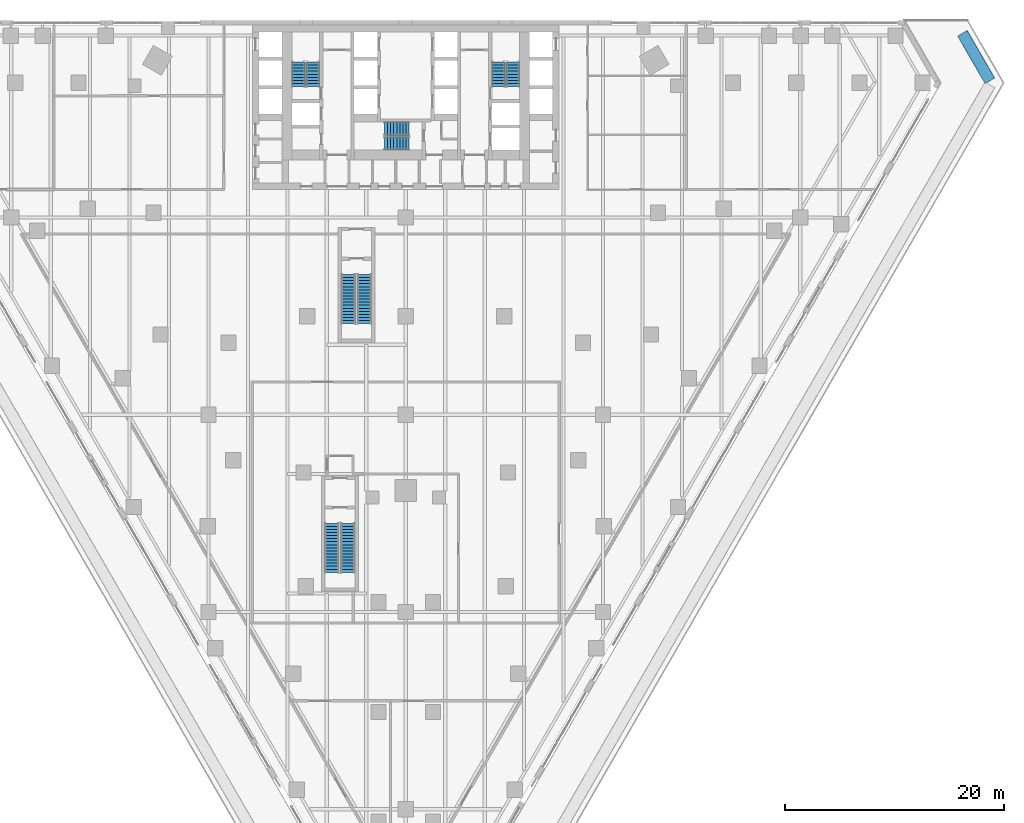
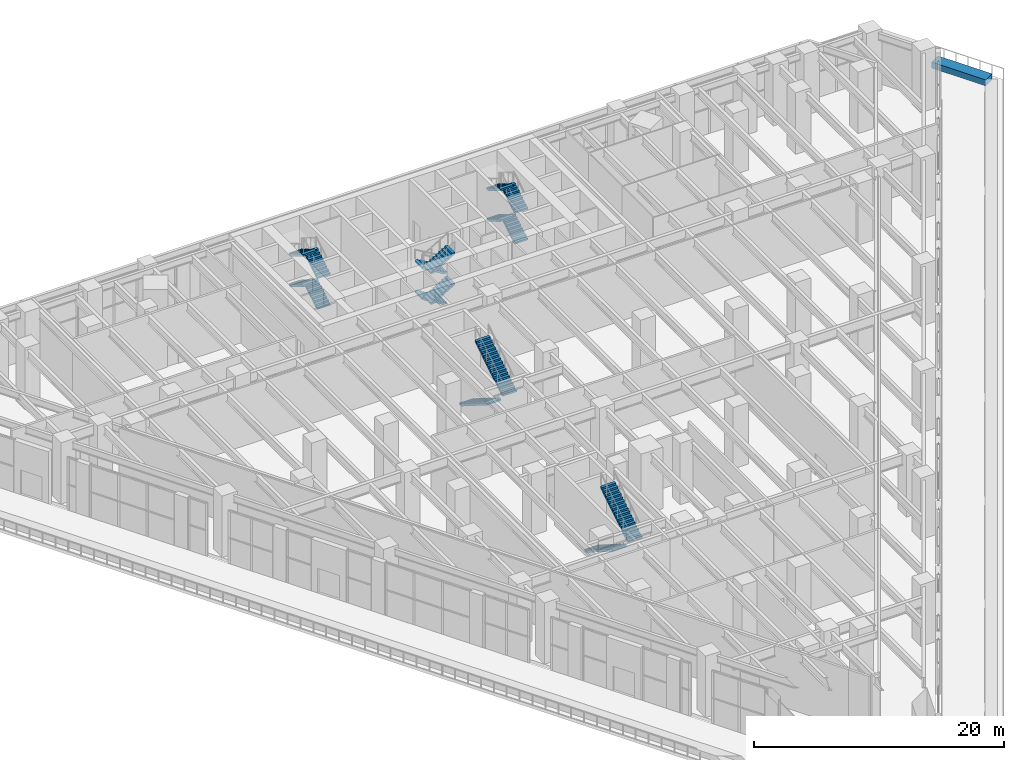
# One storey, part 34 of 40: 16 stair flights, 1 wall, 5 elements without a shape of their own.
"""IFC4 building model written with IfcOpenShell, lengths in metres."""

from ifc_helpers import new_model, si_unit, direction, frame, frame_2d, origin, place, context, subcontext, project, spatial, polyline, rectangle, outline, extrude, material, layer, layer_set, type_object, element, aggregate, save


model = new_model("IFC4")

# Units and contexts
model_context = context("Model", 3, precision=1e-05, world=origin(), true_north=direction((0.0, 1.0)))
body_context = subcontext(model_context, "Body", "Model", "MODEL_VIEW")
ifc_project = project(units=[si_unit("LENGTHUNIT", "METRE"), si_unit("AREAUNIT", "SQUARE_METRE"), si_unit("VOLUMEUNIT", "CUBIC_METRE"), si_unit("PLANEANGLEUNIT", "RADIAN"), si_unit("MASSUNIT", "GRAM", prefix="KILO")], contexts=[model_context])

# Site, building, storey
site_placement = place(None, origin())
site = spatial("IfcSite", under=ifc_project, at=site_placement, CompositionType="ELEMENT")
building_placement = place(site_placement, origin())
building = spatial("IfcBuilding", under=site, at=building_placement, Name="Aloe Facet Convention Tower", CompositionType="ELEMENT")
storey_placement = place(building_placement, frame((0.0, 0.0, 13.5)))
storey = spatial("IfcBuildingStorey", under=building, at=storey_placement, Name="L02", CompositionType="ELEMENT", Elevation=13.5)

# Wall
ifc_material_1 = material(Name="Precast concrete C40/50", Category="concrete")
ifc_layer = layer(ifc_material_1, 1.0)
ifc_layer_set = layer_set([ifc_layer], Name="EV-PLANTER-BED")
wall_type = type_object("IfcWallType", Name="EV-PLANTER-BED", PredefinedType="STANDARD", material=ifc_layer_set)
wall_placement = place(storey_placement, frame((130.801513671875, 133.80712890625, 0.0), z_axis=(0.0, 0.0, 1.0), x_axis=(0.500004234368, -0.866022959057, 0.0)))
element("IfcWall", 1, at=wall_placement, inside=storey, type_object=wall_type, Name="PLANTER PT-L02-1-1", PredefinedType="STANDARD", context=body_context, shape_type="SweptSolid", body=[
    extrude(rectangle(XDim=5.0, YDim=1.0, at=frame_2d((2.5, 0.0))), origin(), (0.0, 0.0, 1.0), 0.60009765625),
])

# Stair, stair flights
ifc_material_2 = material(Name="Concrete C50/60", Category="concrete")
stair_type_1 = type_object("IfcStairType", Name="CR-ST-34R-W1300", PredefinedType="HALF_TURN_STAIR", material=ifc_material_2)
stair_1_placement = place(storey_placement, origin())
stair_1 = element("IfcStair", 2, at=stair_1_placement, inside=storey, type_object=stair_type_1, Name="L02 Protected exit stair ST4", PredefinedType="HALF_TURN_STAIR")
ifc_material_3 = material(Name="Concrete C50/60", Category="concrete")
stair_flight_type_1 = type_object("IfcStairFlightType", Name="CR-SFL-34R-W1300", PredefinedType="STRAIGHT", material=ifc_material_3)
stair_flight_1_placement = place(storey_placement, frame((73.27490234375, 89.10009765625, 0.0), z_axis=(0.0, 0.0, 1.0), x_axis=(0.0, -1.0, 0.0)))
stair_flight_1 = element("IfcStairFlight", 3, at=stair_flight_1_placement, type_object=stair_flight_type_1, Name="ST4 flight 1", NumberOfRisers=17, NumberOfTreads=16, PredefinedType="STRAIGHT", RiserHeight=0.176470588, TreadLength=0.28, context=body_context, shape_type="SweptSolid", body=[
    extrude(outline(polyline([(0.0, 0.0), (0.0, 0.176513671875), (0.280029296875, 0.176513671875), (0.280029296875, 0.35302734375), (0.56005859375, 0.35302734375), (0.56005859375, 0.529296875), (0.840087890625, 0.529296875), (0.840087890625, 0.705810546875), (1.1201171875, 0.705810546875), (1.1201171875, 0.88232421875), (1.39990234375, 0.88232421875), (1.39990234375, 1.058837890625), (1.679931640625, 1.058837890625), (1.679931640625, 1.2353515625), (1.9599609375, 1.2353515625), (1.9599609375, 1.411865234375), (2.239990234375, 1.411865234375), (2.239990234375, 1.588134765625), (2.52001953125, 1.588134765625), (2.52001953125, 1.7646484375), (2.800048828125, 1.7646484375), (2.800048828125, 1.941162109375), (3.080078125, 1.941162109375), (3.080078125, 2.11767578125), (3.360107421875, 2.11767578125), (3.360107421875, 2.294189453125), (3.639892578125, 2.294189453125), (3.639892578125, 2.470703125), (3.919921875, 2.470703125), (3.919921875, 2.64697265625), (4.199951171875, 2.64697265625), (4.199951171875, 2.823486328125), (4.47998046875, 2.823486328125), (4.47998046875, 3.0), (4.47998046875, 2.646240234375), (0.28125, 0.0), (0.0, 0.0)])), frame((0.0, 0.64990234375, 0.0), z_axis=(0.0, -1.0, 0.0), x_axis=(1.0, 0.0, 0.0)), (0.0, 0.0, 1.0), 1.300048828125),
])
stair_flight_2_placement = place(storey_placement, frame((74.72509765625, 84.6201171875, 3.0), z_axis=(0.0, 0.0, 1.0), x_axis=(0.0, 1.0, 0.0)))
stair_flight_2 = element("IfcStairFlight", 4, at=stair_flight_2_placement, type_object=stair_flight_type_1, Name="ST4 flight 2", NumberOfRisers=17, NumberOfTreads=16, PredefinedType="STRAIGHT", RiserHeight=0.176470588, TreadLength=0.28, context=body_context, shape_type="SweptSolid", body=[
    extrude(outline(polyline([(0.0, 0.0), (0.0, 0.176513671875), (0.280029296875, 0.176513671875), (0.280029296875, 0.35302734375), (0.56005859375, 0.35302734375), (0.56005859375, 0.529296875), (0.840087890625, 0.529296875), (0.840087890625, 0.705810546875), (1.1201171875, 0.705810546875), (1.1201171875, 0.88232421875), (1.39990234375, 0.88232421875), (1.39990234375, 1.058837890625), (1.679931640625, 1.058837890625), (1.679931640625, 1.2353515625), (1.9599609375, 1.2353515625), (1.9599609375, 1.411865234375), (2.239990234375, 1.411865234375), (2.239990234375, 1.588134765625), (2.52001953125, 1.588134765625), (2.52001953125, 1.7646484375), (2.800048828125, 1.7646484375), (2.800048828125, 1.941162109375), (3.080078125, 1.941162109375), (3.080078125, 2.11767578125), (3.360107421875, 2.11767578125), (3.360107421875, 2.294189453125), (3.639892578125, 2.294189453125), (3.639892578125, 2.470703125), (3.919921875, 2.470703125), (3.919921875, 2.64697265625), (4.199951171875, 2.64697265625), (4.199951171875, 2.823486328125), (4.47998046875, 2.823486328125), (4.47998046875, 3.0), (4.47998046875, 2.646240234375), (0.28125, 0.0), (0.0, 0.0)])), frame((0.0, 0.64990234375, 0.0), z_axis=(0.0, -1.0, 0.0), x_axis=(1.0, 0.0, 0.0)), (0.0, 0.0, 1.0), 1.300048828125),
])
aggregate(stair_1, [stair_flight_1, stair_flight_2])

stair_2_placement = place(storey_placement, origin())
stair_2 = element("IfcStair", 5, at=stair_2_placement, inside=storey, type_object=stair_type_1, Name="L02 Protected exit stair ST5", PredefinedType="HALF_TURN_STAIR")
stair_flight_3_placement = place(storey_placement, frame((74.77490234375, 111.800048828125, 0.0), z_axis=(0.0, 0.0, 1.0), x_axis=(0.0, -1.0, 0.0)))
stair_flight_3 = element("IfcStairFlight", 6, at=stair_flight_3_placement, type_object=stair_flight_type_1, Name="ST5 flight 1", NumberOfRisers=17, NumberOfTreads=16, PredefinedType="STRAIGHT", RiserHeight=0.176470588, TreadLength=0.28, context=body_context, shape_type="SweptSolid", body=[
    extrude(outline(polyline([(0.0, 0.0), (0.0, 0.176513671875), (0.280029296875, 0.176513671875), (0.280029296875, 0.35302734375), (0.56005859375, 0.35302734375), (0.56005859375, 0.529296875), (0.840087890625, 0.529296875), (0.840087890625, 0.705810546875), (1.1201171875, 0.705810546875), (1.1201171875, 0.88232421875), (1.39990234375, 0.88232421875), (1.39990234375, 1.058837890625), (1.679931640625, 1.058837890625), (1.679931640625, 1.2353515625), (1.9599609375, 1.2353515625), (1.9599609375, 1.411865234375), (2.239990234375, 1.411865234375), (2.239990234375, 1.588134765625), (2.52001953125, 1.588134765625), (2.52001953125, 1.7646484375), (2.800048828125, 1.7646484375), (2.800048828125, 1.941162109375), (3.080078125, 1.941162109375), (3.080078125, 2.11767578125), (3.360107421875, 2.11767578125), (3.360107421875, 2.294189453125), (3.639892578125, 2.294189453125), (3.639892578125, 2.470703125), (3.919921875, 2.470703125), (3.919921875, 2.64697265625), (4.199951171875, 2.64697265625), (4.199951171875, 2.823486328125), (4.47998046875, 2.823486328125), (4.47998046875, 3.0), (4.47998046875, 2.646240234375), (0.28125, 0.0), (0.0, 0.0)])), frame((0.0, 0.64990234375, 0.0), z_axis=(0.0, -1.0, 0.0), x_axis=(1.0, 0.0, 0.0)), (0.0, 0.0, 1.0), 1.300048828125),
])
stair_flight_4_placement = place(storey_placement, frame((76.22509765625, 107.320068359375, 3.0), z_axis=(0.0, 0.0, 1.0), x_axis=(0.0, 1.0, 0.0)))
stair_flight_4 = element("IfcStairFlight", 7, at=stair_flight_4_placement, type_object=stair_flight_type_1, Name="ST5 flight 2", NumberOfRisers=17, NumberOfTreads=16, PredefinedType="STRAIGHT", RiserHeight=0.176470588, TreadLength=0.28, context=body_context, shape_type="SweptSolid", body=[
    extrude(outline(polyline([(0.0, 0.0), (0.0, 0.176513671875), (0.280029296875, 0.176513671875), (0.280029296875, 0.35302734375), (0.56005859375, 0.35302734375), (0.56005859375, 0.529296875), (0.840087890625, 0.529296875), (0.840087890625, 0.705810546875), (1.1201171875, 0.705810546875), (1.1201171875, 0.88232421875), (1.39990234375, 0.88232421875), (1.39990234375, 1.058837890625), (1.679931640625, 1.058837890625), (1.679931640625, 1.2353515625), (1.9599609375, 1.2353515625), (1.9599609375, 1.411865234375), (2.239990234375, 1.411865234375), (2.239990234375, 1.588134765625), (2.52001953125, 1.588134765625), (2.52001953125, 1.7646484375), (2.800048828125, 1.7646484375), (2.800048828125, 1.941162109375), (3.080078125, 1.941162109375), (3.080078125, 2.11767578125), (3.360107421875, 2.11767578125), (3.360107421875, 2.294189453125), (3.639892578125, 2.294189453125), (3.639892578125, 2.470703125), (3.919921875, 2.470703125), (3.919921875, 2.64697265625), (4.199951171875, 2.64697265625), (4.199951171875, 2.823486328125), (4.47998046875, 2.823486328125), (4.47998046875, 3.0), (4.47998046875, 2.646240234375), (0.28125, 0.0), (0.0, 0.0)])), frame((0.0, 0.64990234375, 0.0), z_axis=(0.0, -1.0, 0.0), x_axis=(1.0, 0.0, 0.0)), (0.0, 0.0, 1.0), 1.300048828125),
])
aggregate(stair_2, [stair_flight_3, stair_flight_4])

ifc_material_4 = material(Name="Concrete C50/60", Category="concrete")
stair_type_2 = type_object("IfcStairType", Name="CR-ST-36R", PredefinedType="HALF_TURN_STAIR", material=ifc_material_4)
stair_3_placement = place(storey_placement, origin())
stair_3 = element("IfcStair", 8, at=stair_3_placement, inside=storey, type_object=stair_type_2, Name="L02 Protected exit stair ST1", PredefinedType="HALF_TURN_STAIR")
ifc_material_5 = material(Name="Concrete C50/60", Category="concrete")
stair_flight_type_2 = type_object("IfcStairFlightType", Name="CR-SFL-36R", PredefinedType="STRAIGHT", material=ifc_material_5)
stair_flight_5_placement = place(storey_placement, frame((71.550048828125, 128.949951171875, 0.0), z_axis=(0.0, 0.0, 1.0), x_axis=(0.0, 1.0, 0.0)))
stair_flight_5 = element("IfcStairFlight", 9, at=stair_flight_5_placement, type_object=stair_flight_type_2, Name="ST1 flight 1", NumberOfRisers=9, NumberOfTreads=8, PredefinedType="STRAIGHT", RiserHeight=0.166666667, TreadLength=0.28, context=body_context, shape_type="SweptSolid", body=[
    extrude(outline(polyline([(0.0, 0.0), (0.0, 0.166748046875), (0.280029296875, 0.166748046875), (0.280029296875, 0.333251953125), (0.56005859375, 0.333251953125), (0.56005859375, 0.5), (0.840087890625, 0.5), (0.840087890625, 0.666748046875), (1.1201171875, 0.666748046875), (1.1201171875, 0.833251953125), (1.39990234375, 0.833251953125), (1.39990234375, 1.0), (1.679931640625, 1.0), (1.679931640625, 1.166748046875), (1.9599609375, 1.166748046875), (1.9599609375, 1.333251953125), (2.239990234375, 1.333251953125), (2.239990234375, 1.5), (2.239990234375, 1.158935546875), (0.29296875, 0.0), (0.0, 0.0)])), frame((0.0, 0.60009765625, 0.0), z_axis=(0.0, -1.0, 0.0), x_axis=(1.0, 0.0, 0.0)), (0.0, 0.0, 1.0), 1.199951171875),
])
stair_flight_6_placement = place(storey_placement, frame((70.199951171875, 131.18994140625, 1.5), z_axis=(0.0, 0.0, 1.0), x_axis=(0.0, -1.0, 0.0)))
stair_flight_6 = element("IfcStairFlight", 10, at=stair_flight_6_placement, type_object=stair_flight_type_2, Name="ST1 flight 2", NumberOfRisers=9, NumberOfTreads=8, PredefinedType="STRAIGHT", RiserHeight=0.166666667, TreadLength=0.28, context=body_context, shape_type="SweptSolid", body=[
    extrude(outline(polyline([(0.0, 0.0), (0.0, 0.166748046875), (0.280029296875, 0.166748046875), (0.280029296875, 0.333251953125), (0.56005859375, 0.333251953125), (0.56005859375, 0.5), (0.840087890625, 0.5), (0.840087890625, 0.666748046875), (1.1201171875, 0.666748046875), (1.1201171875, 0.833251953125), (1.39990234375, 0.833251953125), (1.39990234375, 1.0), (1.679931640625, 1.0), (1.679931640625, 1.166748046875), (1.9599609375, 1.166748046875), (1.9599609375, 1.333251953125), (2.239990234375, 1.333251953125), (2.239990234375, 1.5), (2.239990234375, 1.158935546875), (0.29296875, 0.0), (0.0, 0.0)])), frame((0.0, 0.60009765625, 0.0), z_axis=(0.0, -1.0, 0.0), x_axis=(1.0, 0.0, 0.0)), (0.0, 0.0, 1.0), 1.199951171875),
])
stair_flight_7_placement = place(storey_placement, frame((71.550048828125, 128.949951171875, 3.0), z_axis=(0.0, 0.0, 1.0), x_axis=(0.0, 1.0, 0.0)))
stair_flight_7 = element("IfcStairFlight", 11, at=stair_flight_7_placement, type_object=stair_flight_type_2, Name="ST1 flight 3", NumberOfRisers=9, NumberOfTreads=8, PredefinedType="STRAIGHT", RiserHeight=0.166666667, TreadLength=0.28, context=body_context, shape_type="SweptSolid", body=[
    extrude(outline(polyline([(0.0, 0.0), (0.0, 0.166748046875), (0.280029296875, 0.166748046875), (0.280029296875, 0.333251953125), (0.56005859375, 0.333251953125), (0.56005859375, 0.5), (0.840087890625, 0.5), (0.840087890625, 0.666748046875), (1.1201171875, 0.666748046875), (1.1201171875, 0.833251953125), (1.39990234375, 0.833251953125), (1.39990234375, 1.0), (1.679931640625, 1.0), (1.679931640625, 1.166748046875), (1.9599609375, 1.166748046875), (1.9599609375, 1.333251953125), (2.239990234375, 1.333251953125), (2.239990234375, 1.5), (2.239990234375, 1.158935546875), (0.29296875, 0.0), (0.0, 0.0)])), frame((0.0, 0.60009765625, 0.0), z_axis=(0.0, -1.0, 0.0), x_axis=(1.0, 0.0, 0.0)), (0.0, 0.0, 1.0), 1.199951171875),
])
stair_flight_8_placement = place(storey_placement, frame((70.199951171875, 131.18994140625, 4.5), z_axis=(0.0, 0.0, 1.0), x_axis=(0.0, -1.0, 0.0)))
stair_flight_8 = element("IfcStairFlight", 12, at=stair_flight_8_placement, type_object=stair_flight_type_2, Name="ST1 flight 4", NumberOfRisers=9, NumberOfTreads=8, PredefinedType="STRAIGHT", RiserHeight=0.166666667, TreadLength=0.28, context=body_context, shape_type="SweptSolid", body=[
    extrude(outline(polyline([(0.0, 0.0), (0.0, 0.166748046875), (0.280029296875, 0.166748046875), (0.280029296875, 0.333251953125), (0.56005859375, 0.333251953125), (0.56005859375, 0.5), (0.840087890625, 0.5), (0.840087890625, 0.666748046875), (1.1201171875, 0.666748046875), (1.1201171875, 0.833251953125), (1.39990234375, 0.833251953125), (1.39990234375, 1.0), (1.679931640625, 1.0), (1.679931640625, 1.166748046875), (1.9599609375, 1.166748046875), (1.9599609375, 1.333251953125), (2.239990234375, 1.333251953125), (2.239990234375, 1.5), (2.239990234375, 1.158935546875), (0.29296875, 0.0), (0.0, 0.0)])), frame((0.0, 0.60009765625, 0.0), z_axis=(0.0, -1.0, 0.0), x_axis=(1.0, 0.0, 0.0)), (0.0, 0.0, 1.0), 1.199951171875),
])
aggregate(stair_3, [stair_flight_5, stair_flight_6, stair_flight_7, stair_flight_8])

stair_4_placement = place(storey_placement, origin())
stair_4 = element("IfcStair", 13, at=stair_4_placement, inside=storey, type_object=stair_type_2, Name="L02 Protected exit stair ST2", PredefinedType="HALF_TURN_STAIR")
stair_flight_9_placement = place(storey_placement, frame((89.800048828125, 128.949951171875, 0.0), z_axis=(0.0, 0.0, 1.0), x_axis=(0.0, 1.0, 0.0)))
stair_flight_9 = element("IfcStairFlight", 14, at=stair_flight_9_placement, type_object=stair_flight_type_2, Name="ST2 flight 1", NumberOfRisers=9, NumberOfTreads=8, PredefinedType="STRAIGHT", RiserHeight=0.166666667, TreadLength=0.28, context=body_context, shape_type="SweptSolid", body=[
    extrude(outline(polyline([(0.0, 0.0), (0.0, 0.166748046875), (0.280029296875, 0.166748046875), (0.280029296875, 0.333251953125), (0.56005859375, 0.333251953125), (0.56005859375, 0.5), (0.840087890625, 0.5), (0.840087890625, 0.666748046875), (1.1201171875, 0.666748046875), (1.1201171875, 0.833251953125), (1.39990234375, 0.833251953125), (1.39990234375, 1.0), (1.679931640625, 1.0), (1.679931640625, 1.166748046875), (1.9599609375, 1.166748046875), (1.9599609375, 1.333251953125), (2.239990234375, 1.333251953125), (2.239990234375, 1.5), (2.239990234375, 1.158935546875), (0.29296875, 0.0), (0.0, 0.0)])), frame((0.0, 0.60009765625, 0.0), z_axis=(0.0, -1.0, 0.0), x_axis=(1.0, 0.0, 0.0)), (0.0, 0.0, 1.0), 1.199951171875),
])
stair_flight_10_placement = place(storey_placement, frame((88.449951171875, 131.18994140625, 1.5), z_axis=(0.0, 0.0, 1.0), x_axis=(0.0, -1.0, 0.0)))
stair_flight_10 = element("IfcStairFlight", 15, at=stair_flight_10_placement, type_object=stair_flight_type_2, Name="ST2 flight 2", NumberOfRisers=9, NumberOfTreads=8, PredefinedType="STRAIGHT", RiserHeight=0.166666667, TreadLength=0.28, context=body_context, shape_type="SweptSolid", body=[
    extrude(outline(polyline([(0.0, 0.0), (0.0, 0.166748046875), (0.280029296875, 0.166748046875), (0.280029296875, 0.333251953125), (0.56005859375, 0.333251953125), (0.56005859375, 0.5), (0.840087890625, 0.5), (0.840087890625, 0.666748046875), (1.1201171875, 0.666748046875), (1.1201171875, 0.833251953125), (1.39990234375, 0.833251953125), (1.39990234375, 1.0), (1.679931640625, 1.0), (1.679931640625, 1.166748046875), (1.9599609375, 1.166748046875), (1.9599609375, 1.333251953125), (2.239990234375, 1.333251953125), (2.239990234375, 1.5), (2.239990234375, 1.158935546875), (0.29296875, 0.0), (0.0, 0.0)])), frame((0.0, 0.60009765625, 0.0), z_axis=(0.0, -1.0, 0.0), x_axis=(1.0, 0.0, 0.0)), (0.0, 0.0, 1.0), 1.199951171875),
])
stair_flight_11_placement = place(storey_placement, frame((89.800048828125, 128.949951171875, 3.0), z_axis=(0.0, 0.0, 1.0), x_axis=(0.0, 1.0, 0.0)))
stair_flight_11 = element("IfcStairFlight", 16, at=stair_flight_11_placement, type_object=stair_flight_type_2, Name="ST2 flight 3", NumberOfRisers=9, NumberOfTreads=8, PredefinedType="STRAIGHT", RiserHeight=0.166666667, TreadLength=0.28, context=body_context, shape_type="SweptSolid", body=[
    extrude(outline(polyline([(0.0, 0.0), (0.0, 0.166748046875), (0.280029296875, 0.166748046875), (0.280029296875, 0.333251953125), (0.56005859375, 0.333251953125), (0.56005859375, 0.5), (0.840087890625, 0.5), (0.840087890625, 0.666748046875), (1.1201171875, 0.666748046875), (1.1201171875, 0.833251953125), (1.39990234375, 0.833251953125), (1.39990234375, 1.0), (1.679931640625, 1.0), (1.679931640625, 1.166748046875), (1.9599609375, 1.166748046875), (1.9599609375, 1.333251953125), (2.239990234375, 1.333251953125), (2.239990234375, 1.5), (2.239990234375, 1.158935546875), (0.29296875, 0.0), (0.0, 0.0)])), frame((0.0, 0.60009765625, 0.0), z_axis=(0.0, -1.0, 0.0), x_axis=(1.0, 0.0, 0.0)), (0.0, 0.0, 1.0), 1.199951171875),
])
stair_flight_12_placement = place(storey_placement, frame((88.449951171875, 131.18994140625, 4.5), z_axis=(0.0, 0.0, 1.0), x_axis=(0.0, -1.0, 0.0)))
stair_flight_12 = element("IfcStairFlight", 17, at=stair_flight_12_placement, type_object=stair_flight_type_2, Name="ST2 flight 4", NumberOfRisers=9, NumberOfTreads=8, PredefinedType="STRAIGHT", RiserHeight=0.166666667, TreadLength=0.28, context=body_context, shape_type="SweptSolid", body=[
    extrude(outline(polyline([(0.0, 0.0), (0.0, 0.166748046875), (0.280029296875, 0.166748046875), (0.280029296875, 0.333251953125), (0.56005859375, 0.333251953125), (0.56005859375, 0.5), (0.840087890625, 0.5), (0.840087890625, 0.666748046875), (1.1201171875, 0.666748046875), (1.1201171875, 0.833251953125), (1.39990234375, 0.833251953125), (1.39990234375, 1.0), (1.679931640625, 1.0), (1.679931640625, 1.166748046875), (1.9599609375, 1.166748046875), (1.9599609375, 1.333251953125), (2.239990234375, 1.333251953125), (2.239990234375, 1.5), (2.239990234375, 1.158935546875), (0.29296875, 0.0), (0.0, 0.0)])), frame((0.0, 0.60009765625, 0.0), z_axis=(0.0, -1.0, 0.0), x_axis=(1.0, 0.0, 0.0)), (0.0, 0.0, 1.0), 1.199951171875),
])
aggregate(stair_4, [stair_flight_9, stair_flight_10, stair_flight_11, stair_flight_12])

stair_5_placement = place(storey_placement, origin())
stair_5 = element("IfcStair", 18, at=stair_5_placement, inside=storey, type_object=stair_type_2, Name="L02 Protected exit stair ST3", PredefinedType="HALF_TURN_STAIR")
stair_flight_13_placement = place(storey_placement, frame((80.300048828125, 125.10009765625, 0.0), z_axis=(0.0, 0.0, 1.0), x_axis=(-1.0, 0.0, 0.0)))
stair_flight_13 = element("IfcStairFlight", 19, at=stair_flight_13_placement, type_object=stair_flight_type_2, Name="ST3 flight 1", NumberOfRisers=9, NumberOfTreads=8, PredefinedType="STRAIGHT", RiserHeight=0.166666667, TreadLength=0.28, context=body_context, shape_type="SweptSolid", body=[
    extrude(outline(polyline([(0.0, 0.0), (0.0, 0.166748046875), (0.280029296875, 0.166748046875), (0.280029296875, 0.333251953125), (0.56005859375, 0.333251953125), (0.56005859375, 0.5), (0.840087890625, 0.5), (0.840087890625, 0.666748046875), (1.1201171875, 0.666748046875), (1.1201171875, 0.833251953125), (1.39990234375, 0.833251953125), (1.39990234375, 1.0), (1.679931640625, 1.0), (1.679931640625, 1.166748046875), (1.9599609375, 1.166748046875), (1.9599609375, 1.333251953125), (2.239990234375, 1.333251953125), (2.239990234375, 1.5), (2.239990234375, 1.158935546875), (0.29296875, 0.0), (0.0, 0.0)])), frame((0.0, 0.60009765625, 0.0), z_axis=(0.0, -1.0, 0.0), x_axis=(1.0, 0.0, 0.0)), (0.0, 0.0, 1.0), 1.199951171875),
])
stair_flight_14_placement = place(storey_placement, frame((78.06005859375, 123.75, 1.5), z_axis=(0.0, 0.0, 1.0), x_axis=(1.0, 0.0, 0.0)))
stair_flight_14 = element("IfcStairFlight", 20, at=stair_flight_14_placement, type_object=stair_flight_type_2, Name="ST3 flight 2", NumberOfRisers=9, NumberOfTreads=8, PredefinedType="STRAIGHT", RiserHeight=0.166666667, TreadLength=0.28, context=body_context, shape_type="SweptSolid", body=[
    extrude(outline(polyline([(0.0, 0.0), (0.0, 0.166748046875), (0.280029296875, 0.166748046875), (0.280029296875, 0.333251953125), (0.56005859375, 0.333251953125), (0.56005859375, 0.5), (0.840087890625, 0.5), (0.840087890625, 0.666748046875), (1.1201171875, 0.666748046875), (1.1201171875, 0.833251953125), (1.39990234375, 0.833251953125), (1.39990234375, 1.0), (1.679931640625, 1.0), (1.679931640625, 1.166748046875), (1.9599609375, 1.166748046875), (1.9599609375, 1.333251953125), (2.239990234375, 1.333251953125), (2.239990234375, 1.5), (2.239990234375, 1.158935546875), (0.29296875, 0.0), (0.0, 0.0)])), frame((0.0, 0.60009765625, 0.0), z_axis=(0.0, -1.0, 0.0), x_axis=(1.0, 0.0, 0.0)), (0.0, 0.0, 1.0), 1.199951171875),
])
stair_flight_15_placement = place(storey_placement, frame((80.300048828125, 125.10009765625, 3.0), z_axis=(0.0, 0.0, 1.0), x_axis=(-1.0, 0.0, 0.0)))
stair_flight_15 = element("IfcStairFlight", 21, at=stair_flight_15_placement, type_object=stair_flight_type_2, Name="ST3 flight 3", NumberOfRisers=9, NumberOfTreads=8, PredefinedType="STRAIGHT", RiserHeight=0.166666667, TreadLength=0.28, context=body_context, shape_type="SweptSolid", body=[
    extrude(outline(polyline([(0.0, 0.0), (0.0, 0.166748046875), (0.280029296875, 0.166748046875), (0.280029296875, 0.333251953125), (0.56005859375, 0.333251953125), (0.56005859375, 0.5), (0.840087890625, 0.5), (0.840087890625, 0.666748046875), (1.1201171875, 0.666748046875), (1.1201171875, 0.833251953125), (1.39990234375, 0.833251953125), (1.39990234375, 1.0), (1.679931640625, 1.0), (1.679931640625, 1.166748046875), (1.9599609375, 1.166748046875), (1.9599609375, 1.333251953125), (2.239990234375, 1.333251953125), (2.239990234375, 1.5), (2.239990234375, 1.158935546875), (0.29296875, 0.0), (0.0, 0.0)])), frame((0.0, 0.60009765625, 0.0), z_axis=(0.0, -1.0, 0.0), x_axis=(1.0, 0.0, 0.0)), (0.0, 0.0, 1.0), 1.199951171875),
])
stair_flight_16_placement = place(storey_placement, frame((78.06005859375, 123.75, 4.5), z_axis=(0.0, 0.0, 1.0), x_axis=(1.0, 0.0, 0.0)))
stair_flight_16 = element("IfcStairFlight", 22, at=stair_flight_16_placement, type_object=stair_flight_type_2, Name="ST3 flight 4", NumberOfRisers=9, NumberOfTreads=8, PredefinedType="STRAIGHT", RiserHeight=0.166666667, TreadLength=0.28, context=body_context, shape_type="SweptSolid", body=[
    extrude(outline(polyline([(0.0, 0.0), (0.0, 0.166748046875), (0.280029296875, 0.166748046875), (0.280029296875, 0.333251953125), (0.56005859375, 0.333251953125), (0.56005859375, 0.5), (0.840087890625, 0.5), (0.840087890625, 0.666748046875), (1.1201171875, 0.666748046875), (1.1201171875, 0.833251953125), (1.39990234375, 0.833251953125), (1.39990234375, 1.0), (1.679931640625, 1.0), (1.679931640625, 1.166748046875), (1.9599609375, 1.166748046875), (1.9599609375, 1.333251953125), (2.239990234375, 1.333251953125), (2.239990234375, 1.5), (2.239990234375, 1.158935546875), (0.29296875, 0.0), (0.0, 0.0)])), frame((0.0, 0.60009765625, 0.0), z_axis=(0.0, -1.0, 0.0), x_axis=(1.0, 0.0, 0.0)), (0.0, 0.0, 1.0), 1.199951171875),
])
aggregate(stair_5, [stair_flight_13, stair_flight_14, stair_flight_15, stair_flight_16])

save(model, "model.ifc")
